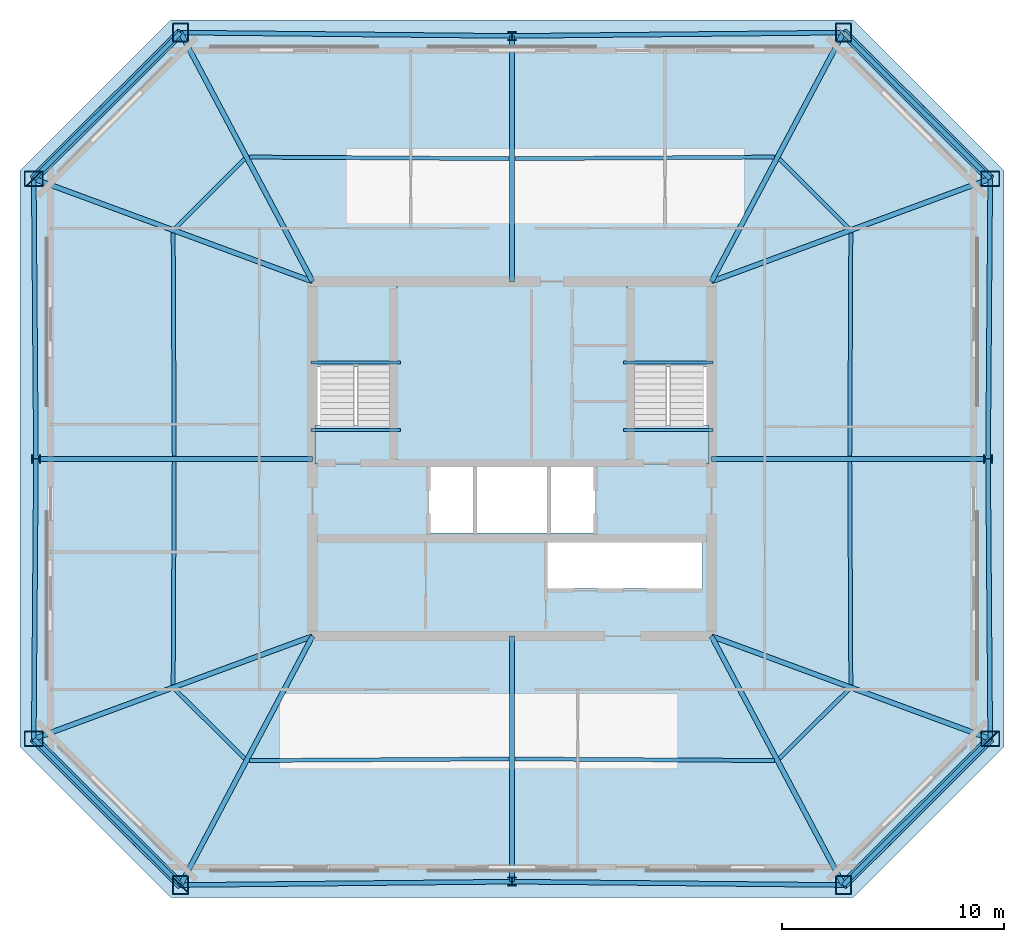
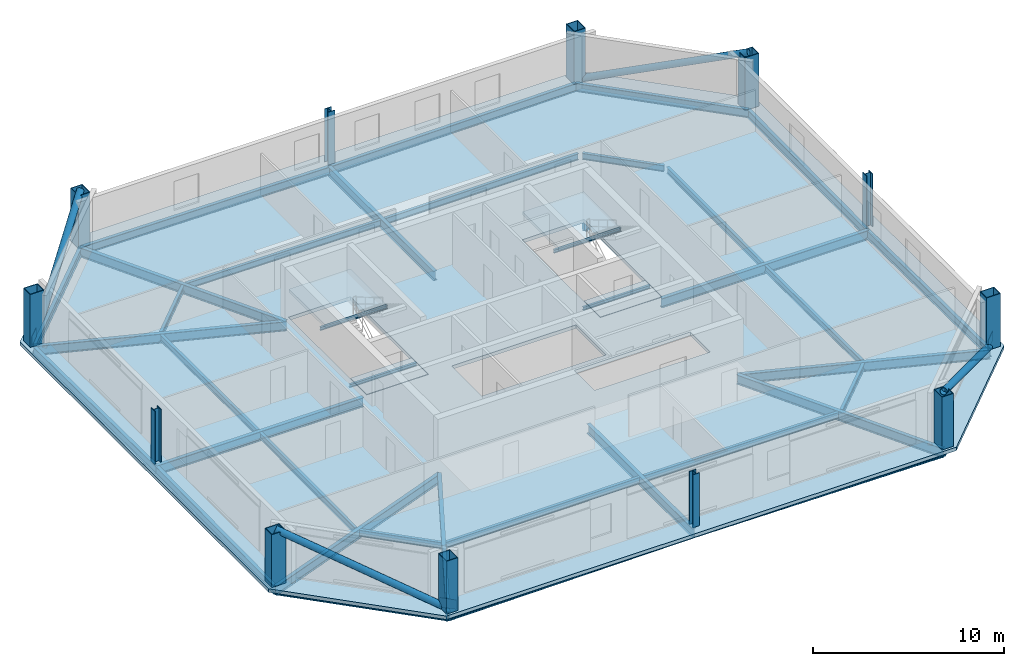
# One storey, part 1 of 6: 40 beams, 12 columns, 5 slabs, 4 members, 3 plates, 2 elements without a shape of their own.
"""IFC4 building model written with IfcOpenShell, lengths in metres."""

from ifc_helpers import new_model, si_unit, direction, frame, origin, origin_2d, place, context, subcontext, project, spatial, polyline, rectangle, hollow_rectangle, hollow_circle, i_section, outline, extrude, material, layer, layer_set, material_profile, profile_set, type_object, element, aggregate, save


model = new_model("IFC4")

# Units and contexts
model_context = context("Model", 3, precision=1e-05, world=origin(), true_north=direction((0.0, 1.0)))
body_context = subcontext(model_context, "Body", "Model", "MODEL_VIEW")
ifc_project = project(units=[si_unit("LENGTHUNIT", "METRE"), si_unit("AREAUNIT", "SQUARE_METRE"), si_unit("VOLUMEUNIT", "CUBIC_METRE"), si_unit("PLANEANGLEUNIT", "RADIAN"), si_unit("MASSUNIT", "GRAM", prefix="KILO")], contexts=[model_context])

# Site, building, storey
site_placement = place(None, origin())
site = spatial("IfcSite", under=ifc_project, at=site_placement, CompositionType="ELEMENT")
building_placement = place(site_placement, origin())
building = spatial("IfcBuilding", under=site, at=building_placement, Name="Caelvoria Tower", CompositionType="ELEMENT")
storey_placement = place(building_placement, frame((0.0, 0.0, 202.199951171875)))
storey = spatial("IfcBuildingStorey", under=building, at=storey_placement, Name="L53", CompositionType="ELEMENT", Elevation=202.199951171875)

# Columns
ifc_material_1 = material(Name="Structural Steel ASTM A572 Gr.50", Category="steel")
ifc_material_profile_1 = material_profile(ifc_material_1, hollow_rectangle(XDim=0.699951171875, YDim=0.85009765625, WallThickness=0.0400390625, at=origin_2d()), Name="Structural Steel ASTM A572 Gr.50")
ifc_profile_set_1 = profile_set([ifc_material_profile_1], Name="BOX850X700X40 - Structural Steel ASTM A572 Gr.50")
column_type_1 = type_object("IfcColumnType", Name="Mega Box Column 850x700x40", PredefinedType="COLUMN", material=ifc_profile_set_1)
for number, where, z_axis, x_axis, name in (
    (1, (31.0419921875, 12.768310546875, 0.0), (0.0, 0.0, 1.0), (1.0, 0.0, 0.0), "Perimeter Megaframe Column L53-P00"),
    (2, (60.9580078125, 12.768310546875, 0.0), (0.0, 0.0, 1.0), (1.0, 0.0, 0.0), "Perimeter Megaframe Column L53-P02"),
    (3, (67.57861328125, 19.36376953125, 0.0), (0.0, 0.0, 1.0), (0.0, 1.0, 0.0), "Perimeter Megaframe Column L53-P03"),
    (4, (67.57861328125, 44.63623046875, 0.0), (0.0, 0.0, 1.0), (0.0, 1.0, 0.0), "Perimeter Megaframe Column L53-P05"),
    (5, (60.9580078125, 51.231689453125, 0.0), (0.0, 0.0, 1.0), (1.0, 0.0, 0.0), "Perimeter Megaframe Column L53-P06"),
    (6, (31.0419921875, 51.231689453125, 0.0), (0.0, 0.0, 1.0), (1.0, 0.0, 0.0), "Perimeter Megaframe Column L53-P08"),
    (7, (24.42138671875, 44.63623046875, 0.0), (0.0, 0.0, 1.0), (0.0, 1.0, 0.0), "Perimeter Megaframe Column L53-P09"),
    (8, (24.42138671875, 19.36376953125, 0.0), (0.0, 0.0, 1.0), (0.0, 1.0, 0.0), "Perimeter Megaframe Column L53-P11"),
):
    element("IfcColumn", number, at=place(storey_placement, frame(where, z_axis=z_axis, x_axis=x_axis)), inside=storey, type_object=column_type_1, Name=name, PredefinedType="COLUMN", context=body_context, shape_type="SweptSolid", body=[
        extrude(hollow_rectangle(XDim=0.699951171875, YDim=0.85009765625, WallThickness=0.0400390625, at=origin_2d()), origin(), (0.0, 0.0, 1.0), 3.373046875),
    ])
ifc_material_2 = material(Name="Structural Steel ASTM A992 Gr.50", Category="steel")
ifc_material_profile_2 = material_profile(ifc_material_2, i_section(OverallWidth=0.40087890625, OverallDepth=0.39892578125, WebThickness=0.02490234375, FlangeThickness=0.03955078125, FilletRadius=0.02490234375, at=origin_2d()), Name="Structural Steel ASTM A992 Gr.50")
ifc_profile_set_2 = profile_set([ifc_material_profile_2], Name="W360X314 - Structural Steel ASTM A992 Gr.50")
column_type_2 = type_object("IfcColumnType", Name="Upper Frame Column W360X314", PredefinedType="COLUMN", material=ifc_profile_set_2)
for number, where, z_axis, x_axis, name in (
    (9, (46.0, 12.919921875, 0.0), (0.0, 0.0, 1.0), (1.0, 0.0, 0.0), "Perimeter Megaframe Column L53-P01"),
    (10, (67.47998046875, 32.0, 0.0), (0.0, 0.0, 1.0), (0.0, 1.0, 0.0), "Perimeter Megaframe Column L53-P04"),
    (11, (46.0, 51.080078125, 0.0), (0.0, 0.0, 1.0), (1.0, 0.0, 0.0), "Perimeter Megaframe Column L53-P07"),
    (12, (24.52001953125, 32.0, 0.0), (0.0, 0.0, 1.0), (0.0, 1.0, 0.0), "Perimeter Megaframe Column L53-P10"),
):
    element("IfcColumn", number, at=place(storey_placement, frame(where, z_axis=z_axis, x_axis=x_axis)), inside=storey, type_object=column_type_2, Name=name, PredefinedType="COLUMN", context=body_context, shape_type="SweptSolid", body=[
        extrude(i_section(OverallWidth=0.40087890625, OverallDepth=0.39892578125, WebThickness=0.02490234375, FlangeThickness=0.03955078125, FilletRadius=0.02490234375, at=origin_2d()), origin(), (0.0, 0.0, 1.0), 3.373046875),
    ])

# Beams
ifc_material_profile_3 = material_profile(ifc_material_2, i_section(OverallWidth=0.134033203125, OverallDepth=0.2099609375, WebThickness=0.00634765625, FlangeThickness=0.01025390625, FilletRadius=0.010009765625, at=origin_2d()), Name="Structural Steel ASTM A992 Gr.50")
ifc_profile_set_3 = profile_set([ifc_material_profile_3], Name="W200X31.3 - Structural Steel ASTM A992 Gr.50")
beam_type_1 = type_object("IfcBeamType", Name="Canopy Edge Trim Beam W200X31.3", PredefinedType="BEAM", material=ifc_profile_set_3)
for number, where, z_axis, x_axis, name in (
    (13, (36.929931640625, 36.35009765625, 1.4951171875), (1.0, 0.0, 0.0), (0.0, 1.0, 0.0), "ST-01 Half-Landing Support Beam L53"),
    (14, (36.929931640625, 33.300048828125, -0.304931640625), (1.0, 0.0, 0.0), (0.0, 1.0, 0.0), "ST-01 Floor-Landing Support Beam L53"),
    (15, (51.030029296875, 36.35009765625, 1.4951171875), (1.0, 0.0, 0.0), (0.0, 1.0, 0.0), "ST-02 Half-Landing Support Beam L53"),
    (16, (51.030029296875, 33.300048828125, -0.304931640625), (1.0, 0.0, 0.0), (0.0, 1.0, 0.0), "ST-02 Floor-Landing Support Beam L53"),
):
    element("IfcBeam", number, at=place(storey_placement, frame(where, z_axis=z_axis, x_axis=x_axis)), inside=storey, type_object=beam_type_1, Name=name, PredefinedType="BEAM", context=body_context, shape_type="SweptSolid", body=[
        extrude(i_section(OverallWidth=0.134033203125, OverallDepth=0.2099609375, WebThickness=0.00634765625, FlangeThickness=0.01025390625, FilletRadius=0.010009765625, at=origin_2d()), origin(), (0.0, 0.0, 1.0), 4.0400390625),
    ])
ifc_material_profile_4 = material_profile(ifc_material_2, i_section(OverallWidth=0.22802734375, OverallDepth=0.60302734375, WebThickness=0.010498046875, FlangeThickness=0.014892578125, FilletRadius=0.01806640625, at=origin_2d()), Name="Structural Steel ASTM A992 Gr.50")
ifc_profile_set_4 = profile_set([ifc_material_profile_4], Name="W610X101 - Structural Steel ASTM A992 Gr.50")
beam_type_2 = type_object("IfcBeamType", Name="Primary Floor Girder W610X101", PredefinedType="BEAM", material=ifc_profile_set_4)
beam_1_placement = place(storey_placement, frame((37.0, 24.0, -0.5263671875), z_axis=(-0.468613670085, -0.883403208173, 0.0), x_axis=(0.883403208173, -0.468613670085, 0.0)))
element("IfcBeam", 17, at=beam_1_placement, inside=storey, type_object=beam_type_2, Name="Primary Floor Girder L53-00", PredefinedType="BEAM", context=body_context, shape_type="SweptSolid", body=[
    extrude(i_section(OverallWidth=0.22802734375, OverallDepth=0.60302734375, WebThickness=0.010498046875, FlangeThickness=0.014892578125, FilletRadius=0.01806640625, at=origin_2d()), origin(), (0.0, 0.0, 1.0), 12.714111328125),
])
beam_2_placement = place(storey_placement, frame((46.0, 24.0, -0.5263671875), z_axis=(0.0, -1.0, 0.0), x_axis=(1.0, 0.0, 0.0)))
element("IfcBeam", 18, at=beam_2_placement, inside=storey, type_object=beam_type_2, Name="Primary Floor Girder L53-01", PredefinedType="BEAM", context=body_context, shape_type="SweptSolid", body=[
    extrude(i_section(OverallWidth=0.22802734375, OverallDepth=0.60302734375, WebThickness=0.010498046875, FlangeThickness=0.014892578125, FilletRadius=0.01806640625, at=origin_2d()), origin(), (0.0, 0.0, 1.0), 11.080078125),
])
beam_3_placement = place(storey_placement, frame((55.0, 24.0, -0.5263671875), z_axis=(0.468613670085, -0.883403208173, 0.0), x_axis=(0.883403208173, 0.468613670085, 0.0)))
element("IfcBeam", 19, at=beam_3_placement, inside=storey, type_object=beam_type_2, Name="Primary Floor Girder L53-02", PredefinedType="BEAM", context=body_context, shape_type="SweptSolid", body=[
    extrude(i_section(OverallWidth=0.22802734375, OverallDepth=0.60302734375, WebThickness=0.010498046875, FlangeThickness=0.014892578125, FilletRadius=0.01806640625, at=origin_2d()), origin(), (0.0, 0.0, 1.0), 12.714111328125),
])
beam_4_placement = place(storey_placement, frame((55.0, 24.0, -0.5263671875), z_axis=(0.938294602718, -0.345837011483, 0.0), x_axis=(0.345837011483, 0.938294602718, 0.0)))
element("IfcBeam", 20, at=beam_4_placement, inside=storey, type_object=beam_type_2, Name="Primary Floor Girder L53-03", PredefinedType="BEAM", context=body_context, shape_type="SweptSolid", body=[
    extrude(i_section(OverallWidth=0.22802734375, OverallDepth=0.60302734375, WebThickness=0.010498046875, FlangeThickness=0.014892578125, FilletRadius=0.01806640625, at=origin_2d()), origin(), (0.0, 0.0, 1.0), 13.40576171875),
])
beam_5_placement = place(storey_placement, frame((55.0, 32.0, -0.5263671875), z_axis=(1.0, 0.0, 0.0), x_axis=(0.0, 1.0, 0.0)))
element("IfcBeam", 21, at=beam_5_placement, inside=storey, type_object=beam_type_2, Name="Primary Floor Girder L53-04", PredefinedType="BEAM", context=body_context, shape_type="SweptSolid", body=[
    extrude(i_section(OverallWidth=0.22802734375, OverallDepth=0.60302734375, WebThickness=0.010498046875, FlangeThickness=0.014892578125, FilletRadius=0.01806640625, at=origin_2d()), origin(), (0.0, 0.0, 1.0), 12.47998046875),
])
beam_6_placement = place(storey_placement, frame((55.0, 40.0, -0.5263671875), z_axis=(0.938294602718, 0.345837011483, 0.0), x_axis=(-0.345837011483, 0.938294602718, 0.0)))
element("IfcBeam", 22, at=beam_6_placement, inside=storey, type_object=beam_type_2, Name="Primary Floor Girder L53-05", PredefinedType="BEAM", context=body_context, shape_type="SweptSolid", body=[
    extrude(i_section(OverallWidth=0.22802734375, OverallDepth=0.60302734375, WebThickness=0.010498046875, FlangeThickness=0.014892578125, FilletRadius=0.01806640625, at=origin_2d()), origin(), (0.0, 0.0, 1.0), 13.40576171875),
])
beam_7_placement = place(storey_placement, frame((55.0, 40.0, -0.5263671875), z_axis=(0.468613670085, 0.883403208173, 0.0), x_axis=(-0.883403208173, 0.468613670085, 0.0)))
element("IfcBeam", 23, at=beam_7_placement, inside=storey, type_object=beam_type_2, Name="Primary Floor Girder L53-06", PredefinedType="BEAM", context=body_context, shape_type="SweptSolid", body=[
    extrude(i_section(OverallWidth=0.22802734375, OverallDepth=0.60302734375, WebThickness=0.010498046875, FlangeThickness=0.014892578125, FilletRadius=0.01806640625, at=origin_2d()), origin(), (0.0, 0.0, 1.0), 12.714111328125),
])
beam_8_placement = place(storey_placement, frame((46.0, 40.0, -0.5263671875), z_axis=(0.0, 1.0, 0.0), x_axis=(-1.0, 0.0, 0.0)))
element("IfcBeam", 24, at=beam_8_placement, inside=storey, type_object=beam_type_2, Name="Primary Floor Girder L53-07", PredefinedType="BEAM", context=body_context, shape_type="SweptSolid", body=[
    extrude(i_section(OverallWidth=0.22802734375, OverallDepth=0.60302734375, WebThickness=0.010498046875, FlangeThickness=0.014892578125, FilletRadius=0.01806640625, at=origin_2d()), origin(), (0.0, 0.0, 1.0), 11.080078125),
])
beam_9_placement = place(storey_placement, frame((37.0, 40.0, -0.5263671875), z_axis=(-0.468613670085, 0.883403208173, 0.0), x_axis=(-0.883403208173, -0.468613670085, 0.0)))
element("IfcBeam", 25, at=beam_9_placement, inside=storey, type_object=beam_type_2, Name="Primary Floor Girder L53-08", PredefinedType="BEAM", context=body_context, shape_type="SweptSolid", body=[
    extrude(i_section(OverallWidth=0.22802734375, OverallDepth=0.60302734375, WebThickness=0.010498046875, FlangeThickness=0.014892578125, FilletRadius=0.01806640625, at=origin_2d()), origin(), (0.0, 0.0, 1.0), 12.714111328125),
])
beam_10_placement = place(storey_placement, frame((37.0, 40.0, -0.5263671875), z_axis=(-0.938294602718, 0.345837011483, 0.0), x_axis=(-0.345837011483, -0.938294602718, 0.0)))
element("IfcBeam", 26, at=beam_10_placement, inside=storey, type_object=beam_type_2, Name="Primary Floor Girder L53-09", PredefinedType="BEAM", context=body_context, shape_type="SweptSolid", body=[
    extrude(i_section(OverallWidth=0.22802734375, OverallDepth=0.60302734375, WebThickness=0.010498046875, FlangeThickness=0.014892578125, FilletRadius=0.01806640625, at=origin_2d()), origin(), (0.0, 0.0, 1.0), 13.40576171875),
])
beam_11_placement = place(storey_placement, frame((37.0, 32.0, -0.5263671875), z_axis=(-1.0, 0.0, 0.0), x_axis=(0.0, -1.0, 0.0)))
element("IfcBeam", 27, at=beam_11_placement, inside=storey, type_object=beam_type_2, Name="Primary Floor Girder L53-10", PredefinedType="BEAM", context=body_context, shape_type="SweptSolid", body=[
    extrude(i_section(OverallWidth=0.22802734375, OverallDepth=0.60302734375, WebThickness=0.010498046875, FlangeThickness=0.014892578125, FilletRadius=0.01806640625, at=origin_2d()), origin(), (0.0, 0.0, 1.0), 12.47998046875),
])
beam_12_placement = place(storey_placement, frame((37.0, 24.0, -0.5263671875), z_axis=(-0.938294602718, -0.345837011483, 0.0), x_axis=(0.345837011483, -0.938294602718, 0.0)))
element("IfcBeam", 28, at=beam_12_placement, inside=storey, type_object=beam_type_2, Name="Primary Floor Girder L53-11", PredefinedType="BEAM", context=body_context, shape_type="SweptSolid", body=[
    extrude(i_section(OverallWidth=0.22802734375, OverallDepth=0.60302734375, WebThickness=0.010498046875, FlangeThickness=0.014892578125, FilletRadius=0.01806640625, at=origin_2d()), origin(), (0.0, 0.0, 1.0), 13.40576171875),
])
ifc_material_profile_5 = material_profile(ifc_material_2, i_section(OverallWidth=0.177978515625, OverallDepth=0.406982421875, WebThickness=0.0078125, FlangeThickness=0.0126953125, FilletRadius=0.013916015625, at=origin_2d()), Name="Structural Steel ASTM A992 Gr.50")
ifc_profile_set_5 = profile_set([ifc_material_profile_5], Name="W410X60 - Structural Steel ASTM A992 Gr.50")
beam_type_3 = type_object("IfcBeamType", Name="Secondary Floor Beam W410X60", PredefinedType="BEAM", material=ifc_profile_set_5)
for number, where, z_axis, x_axis, name in (
    (29, (34.14599609375, 18.385009765625, -0.428466796875), (0.999979980097, 0.00632766983, 0.0), (-0.00632766983, 0.999979980097, 0.0), "Secondary Floor Beam L53-00"),
    (30, (46.125, 18.459228515625, -0.428466796875), (0.999979980097, -0.00632766983, 0.0), (0.00632766983, 0.999979980097, 0.0), "Secondary Floor Beam L53-01"),
):
    element("IfcBeam", number, at=place(storey_placement, frame(where, z_axis=z_axis, x_axis=x_axis)), inside=storey, type_object=beam_type_3, Name=name, PredefinedType="BEAM", context=body_context, shape_type="SweptSolid", body=[
        extrude(i_section(OverallWidth=0.177978515625, OverallDepth=0.406982421875, WebThickness=0.0078125, FlangeThickness=0.0126953125, FilletRadius=0.013916015625, at=origin_2d()), origin(), (0.0, 0.0, 1.0), 11.729248046875),
    ])
beam_13_placement = place(storey_placement, frame((58.067626953125, 18.472412109375, -0.428466796875), z_axis=(0.708430431298, 0.705780648652, 0.0), x_axis=(-0.705780648652, 0.708430431298, 0.0)))
element("IfcBeam", 31, at=beam_13_placement, inside=storey, type_object=beam_type_3, Name="Secondary Floor Beam L53-02", PredefinedType="BEAM", context=body_context, shape_type="SweptSolid", body=[
    extrude(i_section(OverallWidth=0.177978515625, OverallDepth=0.406982421875, WebThickness=0.0078125, FlangeThickness=0.0126953125, FilletRadius=0.013916015625, at=origin_2d()), origin(), (0.0, 0.0, 1.0), 4.422607421875),
])
for number, where, z_axis, x_axis, name in (
    (32, (61.288818359375, 21.806884765625, -0.428466796875), (-0.004801225002, 0.999988474053, 0.0), (-0.999988474053, -0.004801225002, 0.0), "Secondary Floor Beam L53-03"),
    (33, (61.240478515625, 32.125, -0.428466796875), (0.004801225002, 0.999988474053, 0.0), (-0.999988474053, 0.004801225002, 0.0), "Secondary Floor Beam L53-04"),
):
    element("IfcBeam", number, at=place(storey_placement, frame(where, z_axis=z_axis, x_axis=x_axis)), inside=storey, type_object=beam_type_3, Name=name, PredefinedType="BEAM", context=body_context, shape_type="SweptSolid", body=[
        extrude(i_section(OverallWidth=0.177978515625, OverallDepth=0.406982421875, WebThickness=0.0078125, FlangeThickness=0.0126953125, FilletRadius=0.013916015625, at=origin_2d()), origin(), (0.0, 0.0, 1.0), 10.068115234375),
    ])
beam_14_placement = place(storey_placement, frame((61.20068359375, 42.40625, -0.428466796875), z_axis=(-0.708430431298, 0.705780648652, 0.0), x_axis=(-0.705780648652, -0.708430431298, 0.0)))
element("IfcBeam", 34, at=beam_14_placement, inside=storey, type_object=beam_type_3, Name="Secondary Floor Beam L53-05", PredefinedType="BEAM", context=body_context, shape_type="SweptSolid", body=[
    extrude(i_section(OverallWidth=0.177978515625, OverallDepth=0.406982421875, WebThickness=0.0078125, FlangeThickness=0.0126953125, FilletRadius=0.013916015625, at=origin_2d()), origin(), (0.0, 0.0, 1.0), 4.422607421875),
])
for number, where, z_axis, x_axis, name in (
    (35, (57.85400390625, 45.614990234375, -0.428466796875), (-0.999979980097, -0.00632766983, 0.0), (0.00632766983, -0.999979980097, 0.0), "Secondary Floor Beam L53-06"),
    (36, (45.875, 45.540771484375, -0.428466796875), (-0.999979980097, 0.00632766983, 0.0), (-0.00632766983, -0.999979980097, 0.0), "Secondary Floor Beam L53-07"),
):
    element("IfcBeam", number, at=place(storey_placement, frame(where, z_axis=z_axis, x_axis=x_axis)), inside=storey, type_object=beam_type_3, Name=name, PredefinedType="BEAM", context=body_context, shape_type="SweptSolid", body=[
        extrude(i_section(OverallWidth=0.177978515625, OverallDepth=0.406982421875, WebThickness=0.0078125, FlangeThickness=0.0126953125, FilletRadius=0.013916015625, at=origin_2d()), origin(), (0.0, 0.0, 1.0), 11.729248046875),
    ])
beam_15_placement = place(storey_placement, frame((33.932373046875, 45.527587890625, -0.428466796875), z_axis=(-0.708430431298, -0.705780648652, 0.0), x_axis=(0.705780648652, -0.708430431298, 0.0)))
element("IfcBeam", 37, at=beam_15_placement, inside=storey, type_object=beam_type_3, Name="Secondary Floor Beam L53-08", PredefinedType="BEAM", context=body_context, shape_type="SweptSolid", body=[
    extrude(i_section(OverallWidth=0.177978515625, OverallDepth=0.406982421875, WebThickness=0.0078125, FlangeThickness=0.0126953125, FilletRadius=0.013916015625, at=origin_2d()), origin(), (0.0, 0.0, 1.0), 4.422607421875),
])
for number, where, z_axis, x_axis, name in (
    (38, (30.711181640625, 42.193115234375, -0.428466796875), (0.004801225002, -0.999988474053, 0.0), (0.999988474053, 0.004801225002, 0.0), "Secondary Floor Beam L53-09"),
    (39, (30.759521484375, 31.875, -0.428466796875), (-0.004801225002, -0.999988474053, 0.0), (0.999988474053, -0.004801225002, 0.0), "Secondary Floor Beam L53-10"),
):
    element("IfcBeam", number, at=place(storey_placement, frame(where, z_axis=z_axis, x_axis=x_axis)), inside=storey, type_object=beam_type_3, Name=name, PredefinedType="BEAM", context=body_context, shape_type="SweptSolid", body=[
        extrude(i_section(OverallWidth=0.177978515625, OverallDepth=0.406982421875, WebThickness=0.0078125, FlangeThickness=0.0126953125, FilletRadius=0.013916015625, at=origin_2d()), origin(), (0.0, 0.0, 1.0), 10.068115234375),
    ])
beam_16_placement = place(storey_placement, frame((30.79931640625, 21.59375, -0.428466796875), z_axis=(0.708430431298, -0.705780648652, 0.0), x_axis=(0.705780648652, 0.708430431298, 0.0)))
element("IfcBeam", 40, at=beam_16_placement, inside=storey, type_object=beam_type_3, Name="Secondary Floor Beam L53-11", PredefinedType="BEAM", context=body_context, shape_type="SweptSolid", body=[
    extrude(i_section(OverallWidth=0.177978515625, OverallDepth=0.406982421875, WebThickness=0.0078125, FlangeThickness=0.0126953125, FilletRadius=0.013916015625, at=origin_2d()), origin(), (0.0, 0.0, 1.0), 4.422607421875),
])

# Members
ifc_material_profile_6 = material_profile(ifc_material_1, hollow_circle(Radius=0.202880859375, WallThickness=0.01611328125, at=origin_2d()), Name="Structural Steel ASTM A572 Gr.50")
ifc_profile_set_6 = profile_set([ifc_material_profile_6], Name="CHS406X16 - Structural Steel ASTM A572 Gr.50")
member_type = type_object("IfcMemberType", Name="Upper Perimeter Mega Brace CHS406X16", PredefinedType="BRACE", material=ifc_profile_set_6)
for number, where, z_axis, x_axis, name in (
    (41, (67.57861328125, 19.36376953125, 0.0), (-0.666328317431, -0.663797459082, 0.339675590389), (0.705760076664, -0.708450925744, 0.0), "Perimeter Chamfer Mega Brace L53 SE"),
    (42, (60.9580078125, 51.231689453125, 0.0), (0.666328317431, -0.663797459082, 0.339675590389), (0.705760076664, 0.708450925744, 0.0), "Perimeter Chamfer Mega Brace L53 NE"),
    (43, (24.42138671875, 44.63623046875, 0.0), (0.666328317431, 0.663797459082, 0.339675590389), (-0.705760076664, 0.708450925744, 0.0), "Perimeter Chamfer Mega Brace L53 NW"),
    (44, (31.0419921875, 12.768310546875, 0.0), (-0.666328317431, 0.663797459082, 0.339675590389), (-0.705760076664, -0.708450925744, 0.0), "Perimeter Chamfer Mega Brace L53 SW"),
):
    element("IfcMember", number, at=place(storey_placement, frame(where, z_axis=z_axis, x_axis=x_axis)), inside=storey, type_object=member_type, Name=name, PredefinedType="BRACE", context=body_context, shape_type="SweptSolid", body=[
        extrude(hollow_circle(Radius=0.202880859375, WallThickness=0.01611328125, at=origin_2d()), origin(), (0.0, 0.0, 1.0), 9.93603515625),
    ])

# Beams
ifc_material_profile_7 = material_profile(ifc_material_2, i_section(OverallWidth=0.208984375, OverallDepth=0.532958984375, WebThickness=0.01025390625, FlangeThickness=0.015625, FilletRadius=0.01611328125, at=origin_2d()), Name="Structural Steel ASTM A992 Gr.50")
ifc_profile_set_7 = profile_set([ifc_material_profile_7], Name="W530X92 - Structural Steel ASTM A992 Gr.50")
beam_type_4 = type_object("IfcBeamType", Name="Upper Zone Spandrel W530X92", PredefinedType="BEAM", material=ifc_profile_set_7)
for number, where, z_axis, x_axis, name in (
    (45, (31.0419921875, 12.768310546875, -0.491455078125), (0.999948636769, 0.01013527622, 0.0), (-0.01013527622, 0.999948636769, 0.0), "Perimeter Spandrel Girder L53-00"),
    (46, (46.0, 12.919921875, -0.491455078125), (0.999948636769, -0.01013527622, 0.0), (0.01013527622, 0.999948636769, 0.0), "Perimeter Spandrel Girder L53-01"),
):
    element("IfcBeam", number, at=place(storey_placement, frame(where, z_axis=z_axis, x_axis=x_axis)), inside=storey, type_object=beam_type_4, Name=name, PredefinedType="BEAM", context=body_context, shape_type="SweptSolid", body=[
        extrude(i_section(OverallWidth=0.208984375, OverallDepth=0.532958984375, WebThickness=0.01025390625, FlangeThickness=0.015625, FilletRadius=0.01611328125, at=origin_2d()), origin(), (0.0, 0.0, 1.0), 14.958740234375),
    ])
beam_17_placement = place(storey_placement, frame((60.9580078125, 12.768310546875, -0.491455078125), z_axis=(0.708450925744, 0.705760076664, 0.0), x_axis=(-0.705760076664, 0.708450925744, 0.0)))
element("IfcBeam", 47, at=beam_17_placement, inside=storey, type_object=beam_type_4, Name="Perimeter Spandrel Girder L53-02", PredefinedType="BEAM", context=body_context, shape_type="SweptSolid", body=[
    extrude(i_section(OverallWidth=0.208984375, OverallDepth=0.532958984375, WebThickness=0.01025390625, FlangeThickness=0.015625, FilletRadius=0.01611328125, at=origin_2d()), origin(), (0.0, 0.0, 1.0), 9.34521484375),
])
for number, where, z_axis, x_axis, name in (
    (48, (67.57861328125, 19.36376953125, -0.491455078125), (-0.007805318856, 0.999969538035, 0.0), (-0.999969538035, -0.007805318856, 0.0), "Perimeter Spandrel Girder L53-03"),
    (49, (67.47998046875, 32.0, -0.491455078125), (0.007805318856, 0.999969538035, 0.0), (-0.999969538035, 0.007805318856, 0.0), "Perimeter Spandrel Girder L53-04"),
):
    element("IfcBeam", number, at=place(storey_placement, frame(where, z_axis=z_axis, x_axis=x_axis)), inside=storey, type_object=beam_type_4, Name=name, PredefinedType="BEAM", context=body_context, shape_type="SweptSolid", body=[
        extrude(i_section(OverallWidth=0.208984375, OverallDepth=0.532958984375, WebThickness=0.01025390625, FlangeThickness=0.015625, FilletRadius=0.01611328125, at=origin_2d()), origin(), (0.0, 0.0, 1.0), 12.63671875),
    ])
beam_18_placement = place(storey_placement, frame((67.57861328125, 44.63623046875, -0.491455078125), z_axis=(-0.708450925744, 0.705760076664, 0.0), x_axis=(-0.705760076664, -0.708450925744, 0.0)))
element("IfcBeam", 50, at=beam_18_placement, inside=storey, type_object=beam_type_4, Name="Perimeter Spandrel Girder L53-05", PredefinedType="BEAM", context=body_context, shape_type="SweptSolid", body=[
    extrude(i_section(OverallWidth=0.208984375, OverallDepth=0.532958984375, WebThickness=0.01025390625, FlangeThickness=0.015625, FilletRadius=0.01611328125, at=origin_2d()), origin(), (0.0, 0.0, 1.0), 9.34521484375),
])
for number, where, z_axis, x_axis, name in (
    (51, (60.9580078125, 51.231689453125, -0.491455078125), (-0.999948636769, -0.01013527622, 0.0), (0.01013527622, -0.999948636769, 0.0), "Perimeter Spandrel Girder L53-06"),
    (52, (46.0, 51.080078125, -0.491455078125), (-0.999948636769, 0.01013527622, 0.0), (-0.01013527622, -0.999948636769, 0.0), "Perimeter Spandrel Girder L53-07"),
):
    element("IfcBeam", number, at=place(storey_placement, frame(where, z_axis=z_axis, x_axis=x_axis)), inside=storey, type_object=beam_type_4, Name=name, PredefinedType="BEAM", context=body_context, shape_type="SweptSolid", body=[
        extrude(i_section(OverallWidth=0.208984375, OverallDepth=0.532958984375, WebThickness=0.01025390625, FlangeThickness=0.015625, FilletRadius=0.01611328125, at=origin_2d()), origin(), (0.0, 0.0, 1.0), 14.958740234375),
    ])
beam_19_placement = place(storey_placement, frame((31.0419921875, 51.231689453125, -0.491455078125), z_axis=(-0.708450925744, -0.705760076664, 0.0), x_axis=(0.705760076664, -0.708450925744, 0.0)))
element("IfcBeam", 53, at=beam_19_placement, inside=storey, type_object=beam_type_4, Name="Perimeter Spandrel Girder L53-08", PredefinedType="BEAM", context=body_context, shape_type="SweptSolid", body=[
    extrude(i_section(OverallWidth=0.208984375, OverallDepth=0.532958984375, WebThickness=0.01025390625, FlangeThickness=0.015625, FilletRadius=0.01611328125, at=origin_2d()), origin(), (0.0, 0.0, 1.0), 9.34521484375),
])
for number, where, z_axis, x_axis, name in (
    (54, (24.42138671875, 44.63623046875, -0.491455078125), (0.007805318856, -0.999969538035, 0.0), (0.999969538035, 0.007805318856, 0.0), "Perimeter Spandrel Girder L53-09"),
    (55, (24.52001953125, 32.0, -0.491455078125), (-0.007805318856, -0.999969538035, 0.0), (0.999969538035, -0.007805318856, 0.0), "Perimeter Spandrel Girder L53-10"),
):
    element("IfcBeam", number, at=place(storey_placement, frame(where, z_axis=z_axis, x_axis=x_axis)), inside=storey, type_object=beam_type_4, Name=name, PredefinedType="BEAM", context=body_context, shape_type="SweptSolid", body=[
        extrude(i_section(OverallWidth=0.208984375, OverallDepth=0.532958984375, WebThickness=0.01025390625, FlangeThickness=0.015625, FilletRadius=0.01611328125, at=origin_2d()), origin(), (0.0, 0.0, 1.0), 12.63671875),
    ])
beam_20_placement = place(storey_placement, frame((24.42138671875, 19.36376953125, -0.491455078125), z_axis=(0.708450925744, -0.705760076664, 0.0), x_axis=(0.705760076664, 0.708450925744, 0.0)))
element("IfcBeam", 56, at=beam_20_placement, inside=storey, type_object=beam_type_4, Name="Perimeter Spandrel Girder L53-11", PredefinedType="BEAM", context=body_context, shape_type="SweptSolid", body=[
    extrude(i_section(OverallWidth=0.208984375, OverallDepth=0.532958984375, WebThickness=0.01025390625, FlangeThickness=0.015625, FilletRadius=0.01611328125, at=origin_2d()), origin(), (0.0, 0.0, 1.0), 9.34521484375),
])

# Plates
ifc_layer_1 = layer(ifc_material_1, 0.0400390625, Name="Structural Steel ASTM A572 Gr.50")
ifc_layer_set_1 = layer_set([ifc_layer_1], Name="Megaframe Node Gusset Plate 900x600x40 - Structural Steel ASTM A572 Gr.50")
plate_type = type_object("IfcPlateType", Name="Megaframe Node Gusset Plate 900x600x40", PredefinedType="USERDEFINED", material=ifc_layer_set_1)
for number, where, z_axis, x_axis, name in (
    (57, (67.57861328125, 19.36376953125, 0.02001953125), (0.0, 0.0, 1.0), (-0.708453170596, -0.705757823245, 0.0), "Chamfer Mega Brace Gusset L53 SE"),
    (58, (24.42138671875, 44.63623046875, 0.02001953125), (0.0, 0.0, 1.0), (0.708453170596, 0.705757823245, 0.0), "Chamfer Mega Brace Gusset L53 NW"),
    (59, (31.0419921875, 12.768310546875, 0.02001953125), (0.0, 0.0, 1.0), (-0.708453170596, 0.705757823245, 0.0), "Chamfer Mega Brace Gusset L53 SW"),
):
    element("IfcPlate", number, at=place(storey_placement, frame(where, z_axis=z_axis, x_axis=x_axis)), inside=storey, type_object=plate_type, Name=name, ObjectType="GUSSET_PLATE", PredefinedType="USERDEFINED", context=body_context, shape_type="SweptSolid", body=[
        extrude(rectangle(XDim=0.89990234375, YDim=0.0400390625, at=origin_2d()), origin(), (0.0, 0.0, 1.0), 0.60009765625),
    ])

# Stair, slabs
ifc_material_3 = material(Name="Concrete C40/50", Category="concrete")
stair_type = type_object("IfcStairType", Name="Core Smokeproof Dogleg Stair Concrete C40/50", PredefinedType="HALF_TURN_STAIR", material=ifc_material_3)
stair_1_placement = place(storey_placement, origin())
stair_1 = element("IfcStair", 60, at=stair_1_placement, inside=storey, type_object=stair_type, Name="ST-01 Smokeproof Exit Stair L53", PredefinedType="HALF_TURN_STAIR")
ifc_layer_2 = layer(ifc_material_3, 0.199951171875, Name="Concrete C40/50")
ifc_layer_set_2 = layer_set([ifc_layer_2], Name="Stair Half and Floor Landing Slab 200 Concrete C40/50 - Concrete C40/50")
slab_type_1 = type_object("IfcSlabType", Name="Stair Half and Floor Landing Slab 200 Concrete C40/50", PredefinedType="LANDING", material=ifc_layer_set_2)
slab_1_placement = place(storey_placement, frame((0.0, 0.0, -0.199951171875)))
slab_1 = element("IfcSlab", 61, at=slab_1_placement, type_object=slab_type_1, Name="ST-01 landing 1", PredefinedType="LANDING", context=body_context, shape_type="SweptSolid", body=[
    extrude(outline(polyline([(37.10009765625, 31.77001953125), (40.800048828125, 31.77001953125), (40.800048828125, 33.5), (37.10009765625, 33.5), (37.10009765625, 31.77001953125)])), origin(), (0.0, 0.0, 1.0), 0.199951171875),
])
slab_2_placement = place(storey_placement, frame((0.0, 0.0, 1.60009765625)))
slab_2 = element("IfcSlab", 62, at=slab_2_placement, type_object=slab_type_1, Name="ST-01 landing 2", PredefinedType="LANDING", context=body_context, shape_type="SweptSolid", body=[
    extrude(outline(polyline([(37.10009765625, 36.14990234375), (40.800048828125, 36.14990234375), (40.800048828125, 39.89990234375), (37.10009765625, 39.89990234375), (37.10009765625, 36.14990234375)])), origin(), (0.0, 0.0, 1.0), 0.199951171875),
])
aggregate(stair_1, [slab_1, slab_2])

stair_2_placement = place(storey_placement, origin())
stair_2 = element("IfcStair", 63, at=stair_2_placement, inside=storey, type_object=stair_type, Name="ST-02 Smokeproof Exit Stair L53", PredefinedType="HALF_TURN_STAIR")
slab_3_placement = place(storey_placement, frame((0.0, 0.0, -0.199951171875)))
slab_3 = element("IfcSlab", 64, at=slab_3_placement, type_object=slab_type_1, Name="ST-02 landing 1", PredefinedType="LANDING", context=body_context, shape_type="SweptSolid", body=[
    extrude(outline(polyline([(51.199951171875, 31.77001953125), (54.89990234375, 31.77001953125), (54.89990234375, 33.5), (51.199951171875, 33.5), (51.199951171875, 31.77001953125)])), origin(), (0.0, 0.0, 1.0), 0.199951171875),
])
slab_4_placement = place(storey_placement, frame((0.0, 0.0, 1.60009765625)))
slab_4 = element("IfcSlab", 65, at=slab_4_placement, type_object=slab_type_1, Name="ST-02 landing 2", PredefinedType="LANDING", context=body_context, shape_type="SweptSolid", body=[
    extrude(outline(polyline([(51.199951171875, 36.14990234375), (54.89990234375, 36.14990234375), (54.89990234375, 39.89990234375), (51.199951171875, 39.89990234375), (51.199951171875, 36.14990234375)])), origin(), (0.0, 0.0, 1.0), 0.199951171875),
])
aggregate(stair_2, [slab_3, slab_4])

# Slab
ifc_layer_3 = layer(ifc_material_3, 0.22509765625, Name="Concrete C40/50")
ifc_layer_set_3 = layer_set([ifc_layer_3], Name="Upper Tower Composite Office Slab 225 - Concrete C40/50")
slab_type_2 = type_object("IfcSlabType", Name="Upper Tower Composite Office Slab 225", PredefinedType="FLOOR", material=ifc_layer_set_3)
slab_5_placement = place(storey_placement, frame((0.0, 0.0, -0.224853515625)))
element("IfcSlab", 66, at=slab_5_placement, inside=storey, type_object=slab_type_2, Name="Level L53 Structural Floor Slab", PredefinedType="FLOOR", context=body_context, shape_type="SweptSolid", body=[
    extrude(outline(polyline([(30.60009765625, 12.199951171875), (61.39990234375, 12.199951171875), (68.199951171875, 19.0), (68.199951171875, 45.0), (61.39990234375, 51.800048828125), (30.60009765625, 51.800048828125), (23.800048828125, 45.0), (23.800048828125, 19.0), (30.60009765625, 12.199951171875)]), holes=[polyline([(37.080078125, 31.75), (40.820068359375, 31.75), (40.820068359375, 39.919921875), (37.080078125, 39.919921875), (37.080078125, 31.75)]), polyline([(51.179931640625, 31.75), (54.919921875, 31.75), (54.919921875, 39.919921875), (51.179931640625, 39.919921875), (51.179931640625, 31.75)]), polyline([(42.25, 28.64990234375), (49.75, 28.64990234375), (49.75, 31.800048828125), (42.25, 31.800048828125), (42.25, 28.64990234375)]), polyline([(47.60009765625, 26.14990234375), (54.60009765625, 26.14990234375), (54.60009765625, 28.25), (47.60009765625, 28.25), (47.60009765625, 26.14990234375)])]), origin(), (0.0, 0.0, 1.0), 0.224853515625),
])

save(model, "model.ifc")
